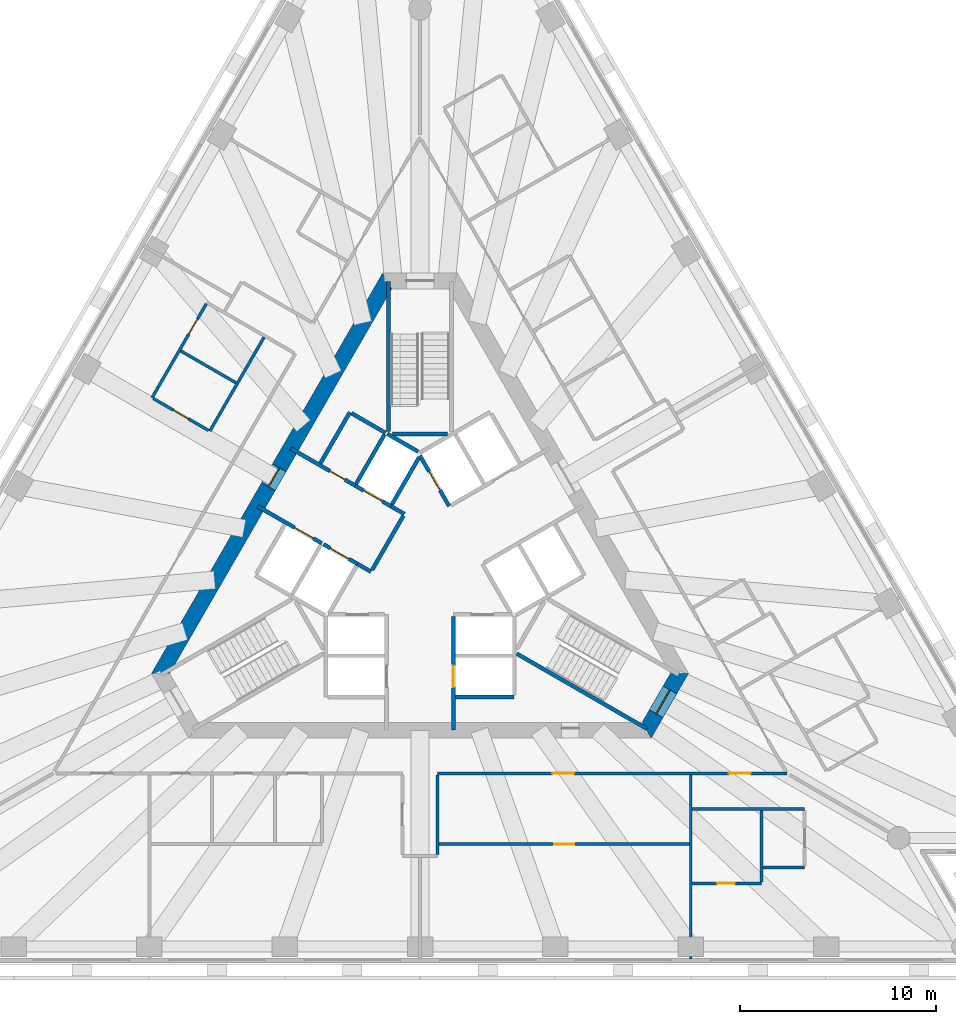
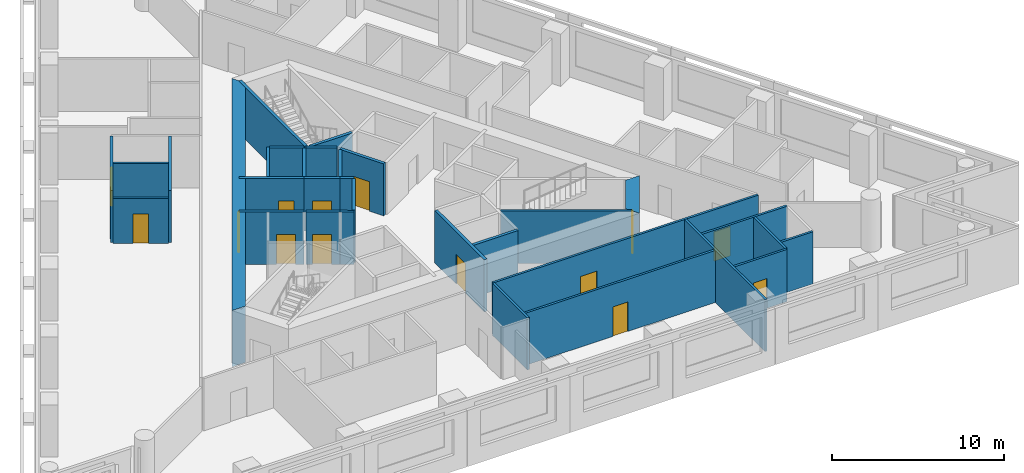
# One storey, part 4 of 10: 32 walls, 14 doors, 14 openings.
"""IFC4 building model written with IfcOpenShell, lengths in metres."""

import ifcopenshell
import ifcopenshell.guid

model = None  # the IFC model being written
_history = None  # IfcOwnerHistory: only IFC2X3 demands one
_inside = {}  # id of a spatial element -> (the spatial element, [elements in it])
_under = {}  # id of a project, library or spatial element -> (it, [spatial elements below it])
_declared = {}  # id of a project -> (the project, [libraries it declares])
_typed = {}  # id of a type object -> (the type object, [elements of that type])
_made_of = {}  # id of a material, layer set ... -> (it, [elements and type objects made of it])


def new_model(schema):
    """Start an empty IFC model of exactly this schema.

    Asked for "IFC4X3", IfcOpenShell would pick the latest addendum, in which some entities
    have other attributes; the version numbers below select the first issue.
    IFC2X3 requires an IfcOwnerHistory on every rooted entity: one is made here for all.
    """
    global model, _history
    if schema == "IFC4X3":
        model = ifcopenshell.file(schema_version=(4, 3, 0, 0))
    else:
        model = ifcopenshell.file(schema=schema)
    _inside.clear()
    _under.clear()
    _declared.clear()
    _typed.clear()
    _made_of.clear()
    _history = None
    if model.schema == "IFC2X3":
        org = make("IfcOrganization", Name="unknown")
        user = make(
            "IfcPersonAndOrganization",
            ThePerson=make("IfcPerson", FamilyName="unknown"),
            TheOrganization=org,
        )
        app = make(
            "IfcApplication",
            ApplicationDeveloper=org,
            Version="unknown",
            ApplicationFullName="unknown",
            ApplicationIdentifier="unknown",
        )
        _history = make(
            "IfcOwnerHistory",
            OwningUser=user,
            OwningApplication=app,
            ChangeAction="ADDED",
            CreationDate=0,
        )
    return model


def make(cls, **values):
    """One entity of the class cls with the attributes given. An attribute that is None is left unset."""
    return model.create_entity(
        cls, **{name: value for name, value in values.items() if value is not None}
    )


def rooted(cls, **values):
    """An entity with a GlobalId (a new one), such as an element, a storey or a relation."""
    return make(cls, GlobalId=ifcopenshell.guid.new(), OwnerHistory=_history, **values)


def si_unit(unit_type, name, prefix=None):
    """IfcSIUnit, for example si_unit("LENGTHUNIT", "METRE", prefix="MILLI")."""
    return make("IfcSIUnit", UnitType=unit_type, Prefix=prefix, Name=name)


def assignment(units):
    """IfcUnitAssignment: the units of a project."""
    return None if units is None else make("IfcUnitAssignment", Units=units)


def point(xyz):
    """IfcCartesianPoint."""
    return None if xyz is None else make("IfcCartesianPoint", Coordinates=xyz)


def direction(xyz):
    """IfcDirection."""
    return None if xyz is None else make("IfcDirection", DirectionRatios=xyz)


def frame(location, z_axis=None, x_axis=None):
    """IfcAxis2Placement3D, a coordinate frame: its origin and axes. An axis left out is left unset."""
    return make(
        "IfcAxis2Placement3D",
        Location=point(location),
        Axis=direction(z_axis),
        RefDirection=direction(x_axis),
    )


def frame_2d(location, x_axis=None):
    """IfcAxis2Placement2D, a coordinate frame in the plane: its origin and x axis."""
    return make(
        "IfcAxis2Placement2D", Location=point(location), RefDirection=direction(x_axis)
    )


def origin():
    """The frame at (0, 0, 0) with its axes left unset."""
    return frame((0.0, 0.0, 0.0))


def place(relative_to, where):
    """IfcLocalPlacement: puts the frame where relative to a parent placement (None: the world)."""
    return make(
        "IfcLocalPlacement", PlacementRelTo=relative_to, RelativePlacement=where
    )


def context(
    kind, dimensions, precision=None, world=None, true_north=None, identifier=None
):
    """IfcGeometricRepresentationContext, for example the 3D "Model" context."""
    return make(
        "IfcGeometricRepresentationContext",
        ContextIdentifier=identifier,
        ContextType=kind,
        CoordinateSpaceDimension=dimensions,
        Precision=precision,
        WorldCoordinateSystem=world,
        TrueNorth=true_north,
    )


def subcontext(parent, identifier, kind, view, scale=None):
    """IfcGeometricRepresentationSubContext, for example "Body" below "Model"."""
    return make(
        "IfcGeometricRepresentationSubContext",
        ContextIdentifier=identifier,
        ContextType=kind,
        ParentContext=parent,
        TargetScale=scale,
        TargetView=view,
    )


def project(units=None, contexts=None):
    """IfcProject with its units and contexts."""
    return rooted(
        "IfcProject",
        Name="project",
        RepresentationContexts=contexts,
        UnitsInContext=assignment(units),
    )


def spatial(cls, under=None, at=None, **own):
    """A site, building, storey or space (cls), placed at a placement, below another one or the project."""
    s = rooted(cls, ObjectPlacement=at, **own)
    if under is not None:
        _under.setdefault(under.id(), (under, []))[1].append(s)
    return s


def polyline(points):
    """IfcPolyline through the points."""
    return make("IfcPolyline", Points=[point(p) for p in points])


def profile(cls, at=None, kind="AREA", **sizes):
    """A parametric profile (cls). Its sizes go by their IFC names, for example OverallWidth=200.0."""
    return make(cls, ProfileType=kind, Position=at, **sizes)


def rectangle(**sizes):
    """IfcRectangleProfileDef."""
    return profile("IfcRectangleProfileDef", **sizes)


def outline(outer, holes=None, kind="AREA"):
    """IfcArbitraryClosedProfileDef: a profile drawn as a closed curve; with holes, ...WithVoids."""
    if holes is None:
        return make("IfcArbitraryClosedProfileDef", ProfileType=kind, OuterCurve=outer)
    return make(
        "IfcArbitraryProfileDefWithVoids",
        ProfileType=kind,
        OuterCurve=outer,
        InnerCurves=holes,
    )


def extrude(swept, where, along, depth):
    """IfcExtrudedAreaSolid: the profile swept, set in the frame where, extruded along a direction by depth."""
    return make(
        "IfcExtrudedAreaSolid",
        SweptArea=swept,
        Position=where,
        ExtrudedDirection=direction(along),
        Depth=depth,
    )


def shape(context_of_items, identifier, shape_type, items):
    """IfcShapeRepresentation: the items that make up one representation, for example the "Body"."""
    return make(
        "IfcShapeRepresentation",
        ContextOfItems=context_of_items,
        RepresentationIdentifier=identifier,
        RepresentationType=shape_type,
        Items=items,
    )


def material(Name=None, Category=None):
    """IfcMaterial."""
    return make("IfcMaterial", Name=Name, Category=Category)


def layer(
    of_material, thickness, ventilated=None, Name=None, Category=None, Priority=None
):
    """IfcMaterialLayer: one layer of a wall or slab, of a material (None: an air gap)."""
    return make(
        "IfcMaterialLayer",
        Material=of_material,
        LayerThickness=thickness,
        IsVentilated=ventilated,
        Name=Name,
        Category=Category,
        Priority=Priority,
    )


def layer_set(layers, Name=None):
    """IfcMaterialLayerSet."""
    return make("IfcMaterialLayerSet", MaterialLayers=layers, LayerSetName=Name)


def made_of(thing, what):
    """Note that an element or type object is made of a material, layer set ...; save() writes the relation."""
    if what is not None:
        _made_of.setdefault(what.id(), (what, []))[1].append(thing)
    return thing


def type_object(cls, material=None, **own):
    """A type object (cls), such as IfcWallType, which elements share."""
    return made_of(rooted(cls, **own), material)


def element(
    cls,
    number,
    at=None,
    inside=None,
    cuts=None,
    type_object=None,
    material=None,
    context=None,
    identifier="Body",
    shape_type=None,
    held_by="IfcProductDefinitionShape",
    body=None,
    shapes=None,
    **own,
):
    """One element of the class cls, such as IfcWall. Its Tag is "e" and its number.

    at: its placement. inside: the storey or other place that contains it. cuts: it is an
    opening in that element (IfcRelVoidsElement). A single representation is given by context,
    identifier, shape_type and body (its items); several are given by shapes. held_by: the class
    of the entity that holds the representations. save() writes the other relations.
    """
    e = rooted(cls, Tag="e%d" % number, ObjectPlacement=at, **own)
    if body is not None:
        shapes = [shape(context, identifier, shape_type, body)]
    if shapes is not None:
        e.Representation = make(held_by, Representations=shapes)
    if inside is not None:
        _inside.setdefault(inside.id(), (inside, []))[1].append(e)
    if cuts is not None:
        rooted(
            "IfcRelVoidsElement", RelatingBuildingElement=cuts, RelatedOpeningElement=e
        )
    if type_object is not None:
        _typed.setdefault(type_object.id(), (type_object, []))[1].append(e)
    return made_of(e, material)


def fill(opening, filler):
    """IfcRelFillsElement: the door or window that sits in an opening."""
    return rooted(
        "IfcRelFillsElement",
        RelatingOpeningElement=opening,
        RelatedBuildingElement=filler,
    )


def aggregate(whole, parts):
    """IfcRelAggregates: a whole, such as a stair, and the parts it consists of."""
    return rooted("IfcRelAggregates", RelatingObject=whole, RelatedObjects=parts)


def save(model, path):
    """Write the relations noted so far, then the file.

    IfcRelAggregates (storeys below a building ...), IfcRelContainedInSpatialStructure (elements
    in a storey), IfcRelDefinesByType, IfcRelAssociatesMaterial and IfcRelDeclares: one each for
    every whole, place, type object, material and project.
    """
    for whole, parts in _under.values():
        aggregate(whole, parts)
    for where, things in _inside.values():
        rooted(
            "IfcRelContainedInSpatialStructure",
            RelatedElements=things,
            RelatingStructure=where,
        )
    for kind, things in _typed.values():
        rooted("IfcRelDefinesByType", RelatedObjects=things, RelatingType=kind)
    for what, things in _made_of.values():
        rooted("IfcRelAssociatesMaterial", RelatedObjects=things, RelatingMaterial=what)
    for by, libraries in _declared.values():
        rooted("IfcRelDeclares", RelatingContext=by, RelatedDefinitions=libraries)
    model.write(path)


model = new_model("IFC4")

# Units and contexts
model_context = context("Model", 3, precision=1e-05, world=origin(), true_north=direction((0.0, 1.0)))
body_context = subcontext(model_context, "Body", "Model", "MODEL_VIEW")
ifc_project = project(units=[si_unit("LENGTHUNIT", "METRE"), si_unit("AREAUNIT", "SQUARE_METRE"), si_unit("VOLUMEUNIT", "CUBIC_METRE"), si_unit("PLANEANGLEUNIT", "RADIAN"), si_unit("MASSUNIT", "GRAM", prefix="KILO")], contexts=[model_context])

# Site, building, storey
site_placement = place(None, origin())
site = spatial("IfcSite", under=ifc_project, at=site_placement, CompositionType="ELEMENT")
building_placement = place(site_placement, origin())
building = spatial("IfcBuilding", under=site, at=building_placement, Name="Triada Interchange Tower", CompositionType="ELEMENT")
storey_placement = place(building_placement, frame((0.0, 0.0, 116.300048828125)))
storey = spatial("IfcBuildingStorey", under=building, at=storey_placement, Name="L26", CompositionType="ELEMENT", Elevation=116.300048828125)

# Wall
ifc_material_1 = material(Name="Concrete C30/37", Category="concrete")
ifc_layer_1 = layer(ifc_material_1, 0.199951171875)
ifc_layer_set_1 = layer_set([ifc_layer_1], Name="CORE WALL 200 EI 120")
wall_type_1 = type_object("IfcWallType", Name="CORE WALL 200 EI 120", PredefinedType="SOLIDWALL", material=ifc_layer_set_1)
wall_1_placement = place(storey_placement, frame((1.800048828125, -6.89990234375, 0.0), z_axis=(0.0, 0.0, 1.0), x_axis=(1.0, 0.0, 0.0)))
element("IfcWall", 1, at=wall_1_placement, inside=storey, type_object=wall_type_1, Name="Wall L26 66", PredefinedType="SOLIDWALL", context=body_context, shape_type="SweptSolid", body=[
    extrude(rectangle(XDim=3.0, YDim=0.199951171875, at=frame_2d((1.5, 0.0))), origin(), (0.0, 0.0, 1.0), 3.699951171875),
])

# Wall, opening, door
wall_2_placement = place(storey_placement, frame((0.0, 5.39990234375, 0.0), z_axis=(0.0, 0.0, 1.0), x_axis=(0.500103862429, -0.865965430478, 0.0)))
wall_2 = element("IfcWall", 2, at=wall_2_placement, inside=storey, type_object=wall_type_1, Name="Wall L26 71", PredefinedType="SOLIDWALL", context=body_context, shape_type="SweptSolid", body=[
    extrude(rectangle(XDim=2.973388671875, YDim=0.199951171875, at=frame_2d((1.48681640625, 0.0))), origin(), (0.0, 0.0, 1.0), 3.699951171875),
])
opening_1_placement = place(wall_2_placement, frame((0.93701171875, 0.0, 0.0)))
opening_1 = element("IfcOpeningElement", 3, at=opening_1_placement, cuts=wall_2, Name="Opening LD-LR5", PredefinedType="OPENING", context=body_context, shape_type="SweptSolid", body=[
    extrude(rectangle(XDim=1.10009765625, YDim=2.10009765625, at=frame_2d((0.550048828125, 1.050048828125))), frame((0.0, 0.10986328125, 0.0), z_axis=(0.0, -1.0, 0.0), x_axis=(1.0, 0.0, 0.0)), (0.0, 0.0, 1.0), 0.219970703125),
])
ifc_material_2 = material(Name="Steel S235 door leaf", Category="steel")
door_type_1 = type_object("IfcDoorType", Name="LIFT LANDING DOOR 1100 EI 120", OperationType="SLIDING_TO_LEFT", PredefinedType="DOOR", material=ifc_material_2)
door_1_placement = place(opening_1_placement, origin())
door_1 = element("IfcDoor", 4, at=door_1_placement, inside=storey, type_object=door_type_1, Name="LR5 landing door L26", OperationType="SLIDING_TO_LEFT", OverallHeight=2.10009765625, OverallWidth=1.10009765625, PredefinedType="DOOR", context=body_context, shape_type="SweptSolid", body=[
    extrude(rectangle(XDim=1.10009765625, YDim=2.10009765625, at=frame_2d((0.550048828125, 1.050048828125))), frame((0.0, 0.02490234375, 0.0), z_axis=(0.0, -1.0, 0.0), x_axis=(1.0, 0.0, 0.0)), (0.0, 0.0, 1.0), 0.050048828125),
])
fill(opening_1, door_1)

wall_3_placement = place(storey_placement, frame((1.699951171875, -8.580078125, 0.0), z_axis=(0.0, 0.0, 1.0), x_axis=(0.0, 1.0, 0.0)))
wall_3 = element("IfcWall", 5, at=wall_3_placement, inside=storey, type_object=wall_type_1, Name="Wall L26 74", PredefinedType="SOLIDWALL", context=body_context, shape_type="SweptSolid", body=[
    extrude(rectangle(XDim=5.777099609375, YDim=0.199951171875, at=frame_2d((2.888671875, 0.0))), origin(), (0.0, 0.0, 1.0), 3.699951171875),
])
opening_2_placement = place(wall_3_placement, frame((2.179931640625, 0.0, 0.0)))
opening_2 = element("IfcOpeningElement", 6, at=opening_2_placement, cuts=wall_3, Name="Opening LD-LR2", PredefinedType="OPENING", context=body_context, shape_type="SweptSolid", body=[
    extrude(rectangle(XDim=1.10009765625, YDim=2.10009765625, at=frame_2d((0.550048828125, 1.050048828125))), frame((0.0, 0.10986328125, 0.0), z_axis=(0.0, -1.0, 0.0), x_axis=(1.0, 0.0, 0.0)), (0.0, 0.0, 1.0), 0.219970703125),
])
door_2_placement = place(opening_2_placement, origin())
door_2 = element("IfcDoor", 7, at=door_2_placement, inside=storey, type_object=door_type_1, Name="LR2 landing door L26", OperationType="SLIDING_TO_LEFT", OverallHeight=2.10009765625, OverallWidth=1.10009765625, PredefinedType="DOOR", context=body_context, shape_type="SweptSolid", body=[
    extrude(rectangle(XDim=1.10009765625, YDim=2.10009765625, at=frame_2d((0.550048828125, 1.050048828125))), frame((0.0, 0.02490234375, 0.0), z_axis=(0.0, -1.0, 0.0), x_axis=(1.0, 0.0, 0.0)), (0.0, 0.0, 1.0), 0.050048828125),
])
fill(opening_2, door_2)

ifc_layer_2 = layer(ifc_material_1, 0.199951171875)
ifc_layer_set_2 = layer_set([ifc_layer_2], Name="CORE WALL 200 EI 180")
wall_type_2 = type_object("IfcWallType", Name="CORE WALL 200 EI 180", PredefinedType="SOLIDWALL", material=ifc_layer_set_2)
wall_4_placement = place(storey_placement, frame((-8.280029296875, 2.818115234375, 0.0), z_axis=(0.0, 0.0, 1.0), x_axis=(0.86600175068, -0.50004096614, 0.0)))
wall_4 = element("IfcWall", 8, at=wall_4_placement, inside=storey, type_object=wall_type_2, Name="Wall L26 82", PredefinedType="SOLIDWALL", context=body_context, shape_type="SweptSolid", body=[
    extrude(rectangle(XDim=3.781982421875, YDim=0.199951171875, at=frame_2d((1.89111328125, 0.0))), origin(), (0.0, 0.0, 1.0), 3.699951171875),
])
opening_3_placement = place(wall_4_placement, frame((2.179931640625, 0.0, 0.0)))
opening_3 = element("IfcOpeningElement", 9, at=opening_3_placement, cuts=wall_4, Name="Opening LD-SV1", PredefinedType="OPENING", context=body_context, shape_type="SweptSolid", body=[
    extrude(rectangle(XDim=1.10009765625, YDim=2.10009765625, at=frame_2d((0.550048828125, 1.050048828125))), frame((0.0, 0.10986328125, 0.0), z_axis=(0.0, -1.0, 0.0), x_axis=(1.0, 0.0, 0.0)), (0.0, 0.0, 1.0), 0.219970703125),
])
door_3_placement = place(opening_3_placement, origin())
door_3 = element("IfcDoor", 10, at=door_3_placement, inside=storey, type_object=door_type_1, Name="SV1 landing door L26", OperationType="SLIDING_TO_LEFT", OverallHeight=2.10009765625, OverallWidth=1.10009765625, PredefinedType="DOOR", context=body_context, shape_type="SweptSolid", body=[
    extrude(rectangle(XDim=1.10009765625, YDim=2.10009765625, at=frame_2d((0.550048828125, 1.050048828125))), frame((0.0, 0.02490234375, 0.0), z_axis=(0.0, -1.0, 0.0), x_axis=(1.0, 0.0, 0.0)), (0.0, 0.0, 1.0), 0.050048828125),
])
fill(opening_3, door_3)

# Wall
wall_5_placement = place(storey_placement, frame((-3.18798828125, -0.1220703125, 0.0), z_axis=(0.0, 0.0, 1.0), x_axis=(0.865705793592, -0.50055317294, 0.0)))
element("IfcWall", 11, at=wall_5_placement, inside=storey, type_object=wall_type_2, Name="Wall L26 83", PredefinedType="SOLIDWALL", context=body_context, shape_type="SweptSolid", body=[
    extrude(rectangle(XDim=0.796875, YDim=0.199951171875, at=frame_2d((0.3984375, 0.0))), origin(), (0.0, 0.0, 1.0), 3.699951171875),
])

# Wall, opening, door
wall_6_placement = place(storey_placement, frame((-6.580078125, 5.761962890625, 0.0), z_axis=(0.0, 0.0, 1.0), x_axis=(0.866029704776, -0.49999255039, 0.0)))
wall_6 = element("IfcWall", 12, at=wall_6_placement, inside=storey, type_object=wall_type_2, Name="Wall L26 84", PredefinedType="SOLIDWALL", context=body_context, shape_type="SweptSolid", body=[
    extrude(rectangle(XDim=3.78173828125, YDim=0.199951171875, at=frame_2d((1.890869140625, 0.0))), origin(), (0.0, 0.0, 1.0), 3.699951171875),
])
opening_4_placement = place(wall_6_placement, frame((2.279052734375, 0.0, 0.0)))
opening_4 = element("IfcOpeningElement", 13, at=opening_4_placement, cuts=wall_6, Name="Opening D26-10", PredefinedType="OPENING", context=body_context, shape_type="SweptSolid", body=[
    extrude(rectangle(XDim=0.89990234375, YDim=2.10009765625, at=frame_2d((0.449951171875, 1.050048828125))), frame((0.0, 0.10986328125, 0.0), z_axis=(0.0, -1.0, 0.0), x_axis=(1.0, 0.0, 0.0)), (0.0, 0.0, 1.0), 0.219970703125),
])
door_type_2 = type_object("IfcDoorType", Name="SERVICE DOOR 900 EI2 90-C5S200", OperationType="NOTDEFINED", PredefinedType="DOOR", material=ifc_material_2)
door_4_placement = place(opening_4_placement, origin())
door_4 = element("IfcDoor", 14, at=door_4_placement, inside=storey, type_object=door_type_2, Name="Door D26-10 L26", OperationType="SINGLE_SWING_LEFT", OverallHeight=2.10009765625, OverallWidth=0.89990234375, PredefinedType="DOOR", context=body_context, shape_type="SweptSolid", body=[
    extrude(rectangle(XDim=0.89990234375, YDim=2.10009765625, at=frame_2d((0.449951171875, 1.050048828125))), frame((0.0, 0.02490234375, 0.0), z_axis=(0.0, -1.0, 0.0), x_axis=(1.0, 0.0, 0.0)), (0.0, 0.0, 1.0), 0.050048828125),
])
fill(opening_4, door_4)

# Walls
wall_7_placement = place(storey_placement, frame((-1.488037109375, 2.822021484375, 0.0), z_axis=(0.0, 0.0, 1.0), x_axis=(0.866236612152, -0.499633997809, 0.0)))
element("IfcWall", 15, at=wall_7_placement, inside=storey, type_object=wall_type_2, Name="Wall L26 85", PredefinedType="SOLIDWALL", context=body_context, shape_type="SweptSolid", body=[
    extrude(rectangle(XDim=0.79638671875, YDim=0.199951171875, at=frame_2d((0.398193359375, 0.0))), origin(), (0.0, 0.0, 1.0), 3.699951171875),
])
wall_8_placement = place(storey_placement, frame((-5.075927734375, 5.009033203125, 0.0), z_axis=(0.0, 0.0, 1.0), x_axis=(0.50002537861, 0.866010750942, 0.0)))
element("IfcWall", 16, at=wall_8_placement, inside=storey, type_object=wall_type_2, Name="Wall L26 86", PredefinedType="SOLIDWALL", context=body_context, shape_type="SweptSolid", body=[
    extrude(rectangle(XDim=2.999755859375, YDim=0.199951171875, at=frame_2d((1.5, 0.0))), origin(), (0.0, 0.0, 1.0), 3.699951171875),
])
wall_9_placement = place(storey_placement, frame((-3.489013671875, 7.556884765625, 0.0), z_axis=(0.0, 0.0, 1.0), x_axis=(0.866010750942, -0.50002537861, 0.0)))
element("IfcWall", 17, at=wall_9_placement, inside=storey, type_object=wall_type_2, Name="Wall L26 87", PredefinedType="SOLIDWALL", context=body_context, shape_type="SweptSolid", body=[
    extrude(rectangle(XDim=2.0, YDim=0.199951171875, at=frame_2d((1.0, 0.0))), origin(), (0.0, 0.0, 1.0), 3.699951171875),
])
wall_10_placement = place(storey_placement, frame((-2.444091796875, -0.43310546875, 0.0), z_axis=(0.0, 0.0, 1.0), x_axis=(0.500035624827, 0.866004834804, 0.0)))
element("IfcWall", 18, at=wall_10_placement, inside=storey, type_object=wall_type_2, Name="Wall L26 88", PredefinedType="SOLIDWALL", context=body_context, shape_type="SweptSolid", body=[
    extrude(rectangle(XDim=3.194091796875, YDim=0.199951171875, at=frame_2d((1.59716796875, 0.0))), origin(), (0.0, 0.0, 1.0), 3.699951171875),
])

# Wall, opening, door
wall_11_placement = place(storey_placement, frame((-4.919921875, 0.8779296875, 0.0), z_axis=(0.0, 0.0, 1.0), x_axis=(0.866010750942, -0.50002537861, 0.0)))
wall_11 = element("IfcWall", 19, at=wall_11_placement, inside=storey, type_object=wall_type_2, Name="Shaft wall FF1 L26 91", PredefinedType="SOLIDWALL", context=body_context, shape_type="SweptSolid", body=[
    extrude(rectangle(XDim=2.0, YDim=0.199951171875, at=frame_2d((1.0, 0.0))), origin(), (0.0, 0.0, 1.0), 3.699951171875),
])
opening_5_placement = place(wall_11_placement, frame((0.39990234375, 0.0, 0.0)))
opening_5 = element("IfcOpeningElement", 20, at=opening_5_placement, cuts=wall_11, Name="Opening LD-FF1", PredefinedType="OPENING", context=body_context, shape_type="SweptSolid", body=[
    extrude(rectangle(XDim=1.10009765625, YDim=2.10009765625, at=frame_2d((0.550048828125, 1.050048828125))), frame((0.0, 0.10986328125, 0.0), z_axis=(0.0, -1.0, 0.0), x_axis=(1.0, 0.0, 0.0)), (0.0, 0.0, 1.0), 0.219970703125),
])
door_5_placement = place(opening_5_placement, origin())
door_5 = element("IfcDoor", 21, at=door_5_placement, inside=storey, type_object=door_type_1, Name="FF1 landing door L26", OperationType="SLIDING_TO_LEFT", OverallHeight=2.10009765625, OverallWidth=1.10009765625, PredefinedType="DOOR", context=body_context, shape_type="SweptSolid", body=[
    extrude(rectangle(XDim=1.10009765625, YDim=2.10009765625, at=frame_2d((0.550048828125, 1.050048828125))), frame((0.0, 0.02490234375, 0.0), z_axis=(0.0, -1.0, 0.0), x_axis=(1.0, 0.0, 0.0)), (0.0, 0.0, 1.0), 0.050048828125),
])
fill(opening_5, door_5)

wall_12_placement = place(storey_placement, frame((-3.30908203125, 3.873046875, 0.0), z_axis=(0.0, 0.0, 1.0), x_axis=(0.866098583652, -0.499873227325, 0.0)))
wall_12 = element("IfcWall", 22, at=wall_12_placement, inside=storey, type_object=wall_type_2, Name="Shaft wall FF2 L26 93", PredefinedType="SOLIDWALL", context=body_context, shape_type="SweptSolid", body=[
    extrude(rectangle(XDim=2.1025390625, YDim=0.199951171875, at=frame_2d((1.05126953125, 0.0))), origin(), (0.0, 0.0, 1.0), 3.699951171875),
])
opening_6_placement = place(wall_12_placement, frame((0.501953125, 0.0, 0.0)))
opening_6 = element("IfcOpeningElement", 23, at=opening_6_placement, cuts=wall_12, Name="Opening LD-FF2", PredefinedType="OPENING", context=body_context, shape_type="SweptSolid", body=[
    extrude(rectangle(XDim=1.10009765625, YDim=2.10009765625, at=frame_2d((0.550048828125, 1.050048828125))), frame((0.0, 0.10986328125, 0.0), z_axis=(0.0, -1.0, 0.0), x_axis=(1.0, 0.0, 0.0)), (0.0, 0.0, 1.0), 0.219970703125),
])
door_6_placement = place(opening_6_placement, origin())
door_6 = element("IfcDoor", 24, at=door_6_placement, inside=storey, type_object=door_type_1, Name="FF2 landing door L26", OperationType="SLIDING_TO_LEFT", OverallHeight=2.10009765625, OverallWidth=1.10009765625, PredefinedType="DOOR", context=body_context, shape_type="SweptSolid", body=[
    extrude(rectangle(XDim=1.10009765625, YDim=2.10009765625, at=frame_2d((0.550048828125, 1.050048828125))), frame((0.0, 0.02490234375, 0.0), z_axis=(0.0, -1.0, 0.0), x_axis=(1.0, 0.0, 0.0)), (0.0, 0.0, 1.0), 0.050048828125),
])
fill(opening_6, door_6)

# Walls
wall_13_placement = place(storey_placement, frame((-3.257080078125, 3.958984375, 0.0), z_axis=(0.0, 0.0, 1.0), x_axis=(0.50012328804, 0.865954211699, 0.0)))
element("IfcWall", 25, at=wall_13_placement, inside=storey, type_object=wall_type_2, Name="Shaft wall FF2 L26 94", PredefinedType="SOLIDWALL", context=body_context, shape_type="SweptSolid", body=[
    extrude(rectangle(XDim=2.899658203125, YDim=0.199951171875, at=frame_2d((1.44970703125, 0.0))), origin(), (0.0, 0.0, 1.0), 3.699951171875),
])
wall_14_placement = place(storey_placement, frame((-1.669921875, 6.507080078125, 0.0), z_axis=(0.0, 0.0, 1.0), x_axis=(0.865941441609, -0.500145398563, 0.0)))
element("IfcWall", 26, at=wall_14_placement, inside=storey, type_object=wall_type_2, Name="Shaft wall FF2 L26 95", PredefinedType="SOLIDWALL", context=body_context, shape_type="SweptSolid", body=[
    extrude(rectangle(XDim=1.8154296875, YDim=0.199951171875, at=frame_2d((0.90771484375, 0.0))), origin(), (0.0, 0.0, 1.0), 3.699951171875),
])
wall_15_placement = place(storey_placement, frame((-1.43798828125, 2.908935546875, 0.0), z_axis=(0.0, 0.0, 1.0), x_axis=(0.499829630636, 0.866123744241, 0.0)))
element("IfcWall", 27, at=wall_15_placement, inside=storey, type_object=wall_type_2, Name="Shaft wall FF2 L26 96", PredefinedType="SOLIDWALL", context=body_context, shape_type="SweptSolid", body=[
    extrude(rectangle(XDim=2.7607421875, YDim=0.199951171875, at=frame_2d((1.38037109375, 0.0))), origin(), (0.0, 0.0, 1.0), 3.699951171875),
])
ifc_layer_3 = layer(ifc_material_1, 0.199951171875)
ifc_layer_set_3 = layer_set([ifc_layer_3], Name="CORE WALL 200 REI 240")
wall_type_3 = type_object("IfcWallType", Name="CORE WALL 200 REI 240", PredefinedType="SOLIDWALL", material=ifc_layer_set_3)
wall_16_placement = place(storey_placement, frame((-1.39990234375, 6.5, 0.0), z_axis=(0.0, 0.0, 1.0), x_axis=(1.0, 0.0, 0.0)))
element("IfcWall", 28, at=wall_16_placement, inside=storey, type_object=wall_type_3, Name="Wall L26 101", PredefinedType="SOLIDWALL", context=body_context, shape_type="SweptSolid", body=[
    extrude(rectangle(XDim=2.7998046875, YDim=0.199951171875, at=frame_2d((1.39990234375, 0.0))), origin(), (0.0, 0.0, 1.0), 3.699951171875),
])
for number, where, z_axis, x_axis, name in (
    (29, (-1.60009765625, 6.614990234375, 0.0), (0.0, 0.0, 1.0), (0.0, 1.0, 0.0), "Wall L26 102"),
    (30, (4.928955078125, -4.693115234375, 0.0), (0.0, 0.0, 1.0), (0.866005769735, -0.50003400563, 0.0), "Wall L26 103"),
):
    element("IfcWall", number, at=place(storey_placement, frame(where, z_axis=z_axis, x_axis=x_axis)), inside=storey, type_object=wall_type_3, Name=name, PredefinedType="SOLIDWALL", context=body_context, shape_type="SweptSolid", body=[
        extrude(rectangle(XDim=7.6650390625, YDim=0.199951171875, at=frame_2d((3.83251953125, 0.0))), origin(), (0.0, 0.0, 1.0), 3.699951171875),
    ])

# Wall, opening, door
ifc_material_3 = material(Name="Concrete C60/75", Category="concrete")
ifc_layer_4 = layer(ifc_material_3, 0.800048828125)
ifc_layer_set_4 = layer_set([ifc_layer_4], Name="Core wall B 800")
wall_type_4 = type_object("IfcWallType", Name="Core wall B 800", PredefinedType="SHEAR", material=ifc_layer_set_4)
wall_17_placement = place(storey_placement, frame((-1.674072265625, 14.300048828125, -0.300048828125), z_axis=(0.0, 0.0, 1.0), x_axis=(-0.499995765644, -0.866027848477, 0.0)))
wall_17 = element("IfcWall", 31, at=wall_17_placement, inside=storey, type_object=wall_type_4, Name="Core wall WB02 L26", PredefinedType="SHEAR", context=body_context, shape_type="SweptSolid", body=[
    extrude(outline(polyline([(-0.23095703125, -0.39990234375), (1.73193359375, -0.39990234375), (3.695068359375, -0.39990234375), (5.657958984375, -0.39990234375), (7.62109375, -0.39990234375), (9.583984375, -0.39990234375), (11.546875, -0.39990234375), (13.510009765625, -0.39990234375), (15.472900390625, -0.39990234375), (17.43603515625, -0.39990234375), (19.39892578125, -0.39990234375), (21.362060546875, -0.39990234375), (23.324951171875, -0.39990234375), (22.863037109375, 0.39990234375), (20.97705078125, 0.39990234375), (19.091064453125, 0.39990234375), (17.205078125, 0.39990234375), (15.319091796875, 0.39990234375), (13.43310546875, 0.39990234375), (11.546875, 0.39990234375), (9.660888671875, 0.39990234375), (7.77490234375, 0.39990234375), (5.888916015625, 0.39990234375), (4.0029296875, 0.39990234375), (2.116943359375, 0.39990234375), (0.23095703125, 0.39990234375), (-0.23095703125, -0.39990234375)])), origin(), (0.0, 0.0, 1.0), 4.0),
])
opening_7_placement = place(wall_17_placement, frame((10.9970703125, 0.0, 0.300048828125)))
opening_7 = element("IfcOpeningElement", 32, at=opening_7_placement, cuts=wall_17, Name="Opening D26-44", PredefinedType="OPENING", context=body_context, shape_type="SweptSolid", body=[
    extrude(rectangle(XDim=1.10009765625, YDim=2.10009765625, at=frame_2d((0.550048828125, 1.050048828125))), frame((0.0, 0.409912109375, 0.0), z_axis=(0.0, -1.0, 0.0), x_axis=(1.0, 0.0, 0.0)), (0.0, 0.0, 1.0), 0.820068359375),
])
door_type_3 = type_object("IfcDoorType", Name="FIRE LOBBY DOOR 1100 EI2 90-C5S200", OperationType="NOTDEFINED", PredefinedType="DOOR", material=ifc_material_2)
door_7_placement = place(opening_7_placement, origin())
door_7 = element("IfcDoor", 33, at=door_7_placement, inside=storey, type_object=door_type_3, Name="Door D26-44 L26", OperationType="SINGLE_SWING_LEFT", OverallHeight=2.10009765625, OverallWidth=1.10009765625, PredefinedType="DOOR", context=body_context, shape_type="SweptSolid", body=[
    extrude(rectangle(XDim=1.10009765625, YDim=2.10009765625, at=frame_2d((0.550048828125, 1.050048828125))), frame((0.0, 0.02490234375, 0.0), z_axis=(0.0, -1.0, 0.0), x_axis=(1.0, 0.0, 0.0)), (0.0, 0.0, 1.0), 0.050048828125),
])
fill(opening_7, door_7)

wall_18_placement = place(storey_placement, frame((11.547119140625, -8.60009765625, -0.300048828125), z_axis=(0.0, 0.0, 1.0), x_axis=(0.49987182685, 0.866099391942, 0.0)))
wall_18 = element("IfcWall", 34, at=wall_18_placement, inside=storey, type_object=wall_type_4, Name="Core wall WB05 L26", PredefinedType="SHEAR", context=body_context, shape_type="SweptSolid", body=[
    extrude(outline(polyline([(-0.23095703125, -0.39990234375), (1.674072265625, -0.39990234375), (3.5791015625, -0.39990234375), (3.117919921875, 0.39990234375), (1.67431640625, 0.39990234375), (0.23095703125, 0.39990234375), (-0.23095703125, -0.39990234375)])), origin(), (0.0, 0.0, 1.0), 4.0),
])
opening_8_placement = place(wall_18_placement, frame((0.97412109375, 0.0, 0.300048828125)))
opening_8 = element("IfcOpeningElement", 35, at=opening_8_placement, cuts=wall_18, Name="Opening D26-43", PredefinedType="OPENING", context=body_context, shape_type="SweptSolid", body=[
    extrude(rectangle(XDim=1.39990234375, YDim=2.10009765625, at=frame_2d((0.699951171875, 1.050048828125))), frame((0.0, 0.409912109375, 0.0), z_axis=(0.0, -1.0, 0.0), x_axis=(1.0, 0.0, 0.0)), (0.0, 0.0, 1.0), 0.820068359375),
])
door_type_4 = type_object("IfcDoorType", Name="STAIR DOOR 1400 EI2 90-C5S200", OperationType="DOUBLE_DOOR_SINGLE_SWING", PredefinedType="DOOR", material=ifc_material_2)
door_8_placement = place(opening_8_placement, origin())
door_8 = element("IfcDoor", 36, at=door_8_placement, inside=storey, type_object=door_type_4, Name="Door D26-43 L26", OperationType="DOUBLE_DOOR_SINGLE_SWING", OverallHeight=2.10009765625, OverallWidth=1.39990234375, PredefinedType="DOOR", context=body_context, shape_type="SweptSolid", body=[
    extrude(rectangle(XDim=1.39990234375, YDim=2.10009765625, at=frame_2d((0.699951171875, 1.050048828125))), frame((0.0, 0.02490234375, 0.0), z_axis=(0.0, -1.0, 0.0), x_axis=(1.0, 0.0, 0.0)), (0.0, 0.0, 1.0), 0.050048828125),
])
fill(opening_8, door_8)

# Wall, openings, doors
ifc_material_4 = material(Name="Gypsum board partition")
ifc_layer_5 = layer(ifc_material_4, 0.14990234375)
ifc_layer_set_5 = layer_set([ifc_layer_5], Name="PARTITION 150 EI 180")
wall_type_5 = type_object("IfcWallType", Name="PARTITION 150 EI 180", PredefinedType="PARTITIONING", material=ifc_layer_set_5)
wall_19_placement = place(storey_placement, frame((0.90087890625, -10.800048828125, 0.0), z_axis=(0.0, 0.0, 1.0), x_axis=(1.0, 0.0, 0.0)))
wall_19 = element("IfcWall", 37, at=wall_19_placement, inside=storey, type_object=wall_type_5, Name="Wall L26 4", PredefinedType="PARTITIONING", context=body_context, shape_type="SweptSolid", body=[
    extrude(rectangle(XDim=17.80419921875, YDim=0.14990234375, at=frame_2d((8.902099609375, 0.0))), origin(), (0.0, 0.0, 1.0), 3.699951171875),
])
opening_9_placement = place(wall_19_placement, frame((5.84912109375, 0.0, 0.0)))
opening_9 = element("IfcOpeningElement", 38, at=opening_9_placement, cuts=wall_19, Name="Opening D26-16", PredefinedType="OPENING", context=body_context, shape_type="SweptSolid", body=[
    extrude(rectangle(XDim=1.10009765625, YDim=2.10009765625, at=frame_2d((0.550048828125, 1.050048828125))), frame((0.0, 0.0849609375, 0.0), z_axis=(0.0, -1.0, 0.0), x_axis=(1.0, 0.0, 0.0)), (0.0, 0.0, 1.0), 0.169921875),
])
opening_10_placement = place(wall_19_placement, frame((14.843994140625, 0.0, 0.0)))
opening_10 = element("IfcOpeningElement", 39, at=opening_10_placement, cuts=wall_19, Name="Opening D26-18", PredefinedType="OPENING", context=body_context, shape_type="SweptSolid", body=[
    extrude(rectangle(XDim=1.10009765625, YDim=2.10009765625, at=frame_2d((0.550048828125, 1.050048828125))), frame((0.0, 0.0849609375, 0.0), z_axis=(0.0, -1.0, 0.0), x_axis=(1.0, 0.0, 0.0)), (0.0, 0.0, 1.0), 0.169921875),
])
door_type_5 = type_object("IfcDoorType", Name="TENANCY ENTRANCE DOOR 1100 EI2 90-C5S200", OperationType="NOTDEFINED", PredefinedType="DOOR", material=ifc_material_2)
door_9_placement = place(opening_9_placement, origin())
door_9 = element("IfcDoor", 40, at=door_9_placement, inside=storey, type_object=door_type_5, Name="Door D26-16 L26", OperationType="SINGLE_SWING_LEFT", OverallHeight=2.10009765625, OverallWidth=1.10009765625, PredefinedType="DOOR", context=body_context, shape_type="SweptSolid", body=[
    extrude(rectangle(XDim=1.10009765625, YDim=2.10009765625, at=frame_2d((0.550048828125, 1.050048828125))), frame((0.0, 0.02490234375, 0.0), z_axis=(0.0, -1.0, 0.0), x_axis=(1.0, 0.0, 0.0)), (0.0, 0.0, 1.0), 0.050048828125),
])
fill(opening_9, door_9)
door_10_placement = place(opening_10_placement, origin())
door_10 = element("IfcDoor", 41, at=door_10_placement, inside=storey, type_object=door_type_5, Name="Door D26-18 L26", OperationType="SINGLE_SWING_LEFT", OverallHeight=2.10009765625, OverallWidth=1.10009765625, PredefinedType="DOOR", context=body_context, shape_type="SweptSolid", body=[
    extrude(rectangle(XDim=1.10009765625, YDim=2.10009765625, at=frame_2d((0.550048828125, 1.050048828125))), frame((0.0, 0.02490234375, 0.0), z_axis=(0.0, -1.0, 0.0), x_axis=(1.0, 0.0, 0.0)), (0.0, 0.0, 1.0), 0.050048828125),
])
fill(opening_10, door_10)

# Walls
wall_20_placement = place(storey_placement, frame((0.89990234375, -14.925048828125, 0.0), z_axis=(0.0, 0.0, 1.0), x_axis=(0.0, 1.0, 0.0)))
element("IfcWall", 42, at=wall_20_placement, inside=storey, type_object=wall_type_5, Name="Wall L26 23", PredefinedType="PARTITIONING", context=body_context, shape_type="SweptSolid", body=[
    extrude(rectangle(XDim=4.049072265625, YDim=0.14990234375, at=frame_2d((2.0244140625, 0.0))), origin(), (0.0, 0.0, 1.0), 3.699951171875),
])
wall_21_placement = place(storey_placement, frame((13.794921875, -20.243896484375, 0.0), z_axis=(0.0, 0.0, 1.0), x_axis=(0.0, 1.0, 0.0)))
element("IfcWall", 43, at=wall_21_placement, inside=storey, type_object=wall_type_5, Name="Wall L26 34", PredefinedType="PARTITIONING", context=body_context, shape_type="SweptSolid", body=[
    extrude(rectangle(XDim=9.368896484375, YDim=0.14990234375, at=frame_2d((4.6845703125, 0.0))), origin(), (0.0, 0.0, 1.0), 3.699951171875),
])
ifc_layer_6 = layer(ifc_material_4, 0.14990234375)
ifc_layer_set_6 = layer_set([ifc_layer_6], Name="PARTITION 150 EI 90")
wall_type_6 = type_object("IfcWallType", Name="PARTITION 150 EI 90", PredefinedType="PARTITIONING", material=ifc_layer_set_6)
wall_22_placement = place(storey_placement, frame((-10.712890625, 6.64501953125, 0.0), z_axis=(0.0, 0.0, 1.0), x_axis=(0.500050108258, 0.865996471835, 0.0)))
element("IfcWall", 44, at=wall_22_placement, inside=storey, type_object=wall_type_6, Name="Wall L26 41", PredefinedType="PARTITIONING", context=body_context, shape_type="SweptSolid", body=[
    extrude(rectangle(XDim=5.525390625, YDim=0.14990234375, at=frame_2d((2.7626953125, 0.0))), origin(), (0.0, 0.0, 1.0), 3.699951171875),
])

# Wall, opening, door
wall_23_placement = place(storey_placement, frame((-13.656982421875, 8.344970703125, 0.0), z_axis=(0.0, 0.0, 1.0), x_axis=(0.499917542299, 0.866073005526, 0.0)))
wall_23 = element("IfcWall", 45, at=wall_23_placement, inside=storey, type_object=wall_type_6, Name="Wall L26 42", PredefinedType="PARTITIONING", context=body_context, shape_type="SweptSolid", body=[
    extrude(rectangle(XDim=5.52490234375, YDim=0.14990234375, at=frame_2d((2.762451171875, 0.0))), origin(), (0.0, 0.0, 1.0), 3.699951171875),
])
opening_11_placement = place(wall_23_placement, frame((3.75, 0.0, 0.0)))
opening_11 = element("IfcOpeningElement", 46, at=opening_11_placement, cuts=wall_23, Name="Opening D26-38", PredefinedType="OPENING", context=body_context, shape_type="SweptSolid", body=[
    extrude(rectangle(XDim=0.89990234375, YDim=2.10009765625, at=frame_2d((0.449951171875, 1.050048828125))), frame((0.0, 0.0849609375, 0.0), z_axis=(0.0, -1.0, 0.0), x_axis=(1.0, 0.0, 0.0)), (0.0, 0.0, 1.0), 0.169921875),
])
door_type_6 = type_object("IfcDoorType", Name="ROOM DOOR 900 EI2 45-C5S200", OperationType="NOTDEFINED", PredefinedType="DOOR", material=ifc_material_2)
door_11_placement = place(opening_11_placement, origin())
door_11 = element("IfcDoor", 47, at=door_11_placement, inside=storey, type_object=door_type_6, Name="Door D26-38 L26", OperationType="SINGLE_SWING_LEFT", OverallHeight=2.10009765625, OverallWidth=0.89990234375, PredefinedType="DOOR", context=body_context, shape_type="SweptSolid", body=[
    extrude(rectangle(XDim=0.89990234375, YDim=2.10009765625, at=frame_2d((0.449951171875, 1.050048828125))), frame((0.0, 0.02490234375, 0.0), z_axis=(0.0, -1.0, 0.0), x_axis=(1.0, 0.0, 0.0)), (0.0, 0.0, 1.0), 0.050048828125),
])
fill(opening_11, door_11)

wall_24_placement = place(storey_placement, frame((-13.592041015625, 8.306884765625, 0.0), z_axis=(0.0, 0.0, 1.0), x_axis=(0.865977875238, -0.500082312822, 0.0)))
wall_24 = element("IfcWall", 48, at=wall_24_placement, inside=storey, type_object=wall_type_6, Name="Wall L26 43", PredefinedType="PARTITIONING", context=body_context, shape_type="SweptSolid", body=[
    extrude(rectangle(XDim=3.24951171875, YDim=0.14990234375, at=frame_2d((1.624755859375, 0.0))), origin(), (0.0, 0.0, 1.0), 3.199951171875),
])
opening_12_placement = place(wall_24_placement, frame((1.175048828125, 0.0, 0.0)))
opening_12 = element("IfcOpeningElement", 49, at=opening_12_placement, cuts=wall_24, Name="Opening D26-39", PredefinedType="OPENING", context=body_context, shape_type="SweptSolid", body=[
    extrude(rectangle(XDim=0.89990234375, YDim=2.10009765625, at=frame_2d((0.449951171875, 1.050048828125))), frame((0.0, 0.0849609375, 0.0), z_axis=(0.0, -1.0, 0.0), x_axis=(1.0, 0.0, 0.0)), (0.0, 0.0, 1.0), 0.169921875),
])
door_12_placement = place(opening_12_placement, origin())
door_12 = element("IfcDoor", 50, at=door_12_placement, inside=storey, type_object=door_type_6, Name="Door D26-39 L26", OperationType="SINGLE_SWING_RIGHT", OverallHeight=2.10009765625, OverallWidth=0.89990234375, PredefinedType="DOOR", context=body_context, shape_type="SweptSolid", body=[
    extrude(rectangle(XDim=0.89990234375, YDim=2.10009765625, at=frame_2d((0.449951171875, 1.050048828125))), frame((0.0, 0.02490234375, 0.0), z_axis=(0.0, -1.0, 0.0), x_axis=(1.0, 0.0, 0.0)), (0.0, 0.0, 1.0), 0.050048828125),
])
fill(opening_12, door_12)

# Wall
wall_25_placement = place(storey_placement, frame((-12.19189453125, 10.73193359375, 0.0), z_axis=(0.0, 0.0, 1.0), x_axis=(0.865977875238, -0.500082312822, 0.0)))
element("IfcWall", 51, at=wall_25_placement, inside=storey, type_object=wall_type_6, Name="Wall L26 44", PredefinedType="PARTITIONING", context=body_context, shape_type="SweptSolid", body=[
    extrude(rectangle(XDim=3.24951171875, YDim=0.14990234375, at=frame_2d((1.624755859375, 0.0))), origin(), (0.0, 0.0, 1.0), 3.699951171875),
])

# Wall, opening, door
wall_26_placement = place(storey_placement, frame((0.97509765625, -14.39990234375, 0.0), z_axis=(0.0, 0.0, 1.0), x_axis=(1.0, 0.0, 0.0)))
wall_26 = element("IfcWall", 52, at=wall_26_placement, inside=storey, type_object=wall_type_6, Name="Wall L26 45", PredefinedType="PARTITIONING", context=body_context, shape_type="SweptSolid", body=[
    extrude(rectangle(XDim=12.744873046875, YDim=0.14990234375, at=frame_2d((6.37255859375, 0.0))), origin(), (0.0, 0.0, 1.0), 3.699951171875),
])
opening_13_placement = place(wall_26_placement, frame((5.875, 0.0, 0.0)))
opening_13 = element("IfcOpeningElement", 53, at=opening_13_placement, cuts=wall_26, Name="Opening D26-17", PredefinedType="OPENING", context=body_context, shape_type="SweptSolid", body=[
    extrude(rectangle(XDim=1.0, YDim=2.10009765625, at=frame_2d((0.5, 1.050048828125))), frame((0.0, 0.0849609375, 0.0), z_axis=(0.0, -1.0, 0.0), x_axis=(1.0, 0.0, 0.0)), (0.0, 0.0, 1.0), 0.169921875),
])
door_type_7 = type_object("IfcDoorType", Name="ROOM DOOR 1000 EI2 45-C5S200", OperationType="NOTDEFINED", PredefinedType="DOOR", material=ifc_material_2)
door_13_placement = place(opening_13_placement, origin())
door_13 = element("IfcDoor", 54, at=door_13_placement, inside=storey, type_object=door_type_7, Name="Door D26-17 L26", OperationType="SINGLE_SWING_RIGHT", OverallHeight=2.10009765625, OverallWidth=1.0, PredefinedType="DOOR", context=body_context, shape_type="SweptSolid", body=[
    extrude(rectangle(XDim=1.0, YDim=2.10009765625, at=frame_2d((0.5, 1.050048828125))), frame((0.0, 0.02490234375, 0.0), z_axis=(0.0, -1.0, 0.0), x_axis=(1.0, 0.0, 0.0)), (0.0, 0.0, 1.0), 0.050048828125),
])
fill(opening_13, door_13)

wall_27_placement = place(storey_placement, frame((13.8701171875, -16.39990234375, 0.0), z_axis=(0.0, 0.0, 1.0), x_axis=(1.0, 0.0, 0.0)))
wall_27 = element("IfcWall", 55, at=wall_27_placement, inside=storey, type_object=wall_type_6, Name="Wall L26 51", PredefinedType="PARTITIONING", context=body_context, shape_type="SweptSolid", body=[
    extrude(rectangle(XDim=3.52490234375, YDim=0.14990234375, at=frame_2d((1.762451171875, 0.0))), origin(), (0.0, 0.0, 1.0), 3.699951171875),
])
opening_14_placement = place(wall_27_placement, frame((1.27490234375, 0.0, 0.0)))
opening_14 = element("IfcOpeningElement", 56, at=opening_14_placement, cuts=wall_27, Name="Opening D26-19", PredefinedType="OPENING", context=body_context, shape_type="SweptSolid", body=[
    extrude(rectangle(XDim=0.89990234375, YDim=2.10009765625, at=frame_2d((0.449951171875, 1.050048828125))), frame((0.0, 0.0849609375, 0.0), z_axis=(0.0, -1.0, 0.0), x_axis=(1.0, 0.0, 0.0)), (0.0, 0.0, 1.0), 0.169921875),
])
door_14_placement = place(opening_14_placement, origin())
door_14 = element("IfcDoor", 57, at=door_14_placement, inside=storey, type_object=door_type_6, Name="Door D26-19 L26", OperationType="SINGLE_SWING_LEFT", OverallHeight=2.10009765625, OverallWidth=0.89990234375, PredefinedType="DOOR", context=body_context, shape_type="SweptSolid", body=[
    extrude(rectangle(XDim=0.89990234375, YDim=2.10009765625, at=frame_2d((0.449951171875, 1.050048828125))), frame((0.0, 0.02490234375, 0.0), z_axis=(0.0, -1.0, 0.0), x_axis=(1.0, 0.0, 0.0)), (0.0, 0.0, 1.0), 0.050048828125),
])
fill(opening_14, door_14)

# Walls
wall_28_placement = place(storey_placement, frame((17.39501953125, -16.324951171875, 0.0), z_axis=(0.0, 0.0, 1.0), x_axis=(0.0, 1.0, 0.0)))
element("IfcWall", 58, at=wall_28_placement, inside=storey, type_object=wall_type_6, Name="Wall L26 52", PredefinedType="PARTITIONING", context=body_context, shape_type="SweptSolid", body=[
    extrude(rectangle(XDim=3.64990234375, YDim=0.14990234375, at=frame_2d((1.824951171875, 0.0))), origin(), (0.0, 0.0, 1.0), 3.699951171875),
])
wall_29_placement = place(storey_placement, frame((13.8701171875, -12.60009765625, 0.0), z_axis=(0.0, 0.0, 1.0), x_axis=(1.0, 0.0, 0.0)))
element("IfcWall", 59, at=wall_29_placement, inside=storey, type_object=wall_type_6, Name="Wall L26 53", PredefinedType="PARTITIONING", context=body_context, shape_type="SweptSolid", body=[
    extrude(rectangle(XDim=5.724853515625, YDim=0.14990234375, at=frame_2d((2.8623046875, 0.0))), origin(), (0.0, 0.0, 1.0), 3.699951171875),
])
wall_30_placement = place(storey_placement, frame((17.469970703125, -15.60009765625, 0.0), z_axis=(0.0, 0.0, 1.0), x_axis=(1.0, 0.0, 0.0)))
element("IfcWall", 60, at=wall_30_placement, inside=storey, type_object=wall_type_6, Name="Wall L26 54", PredefinedType="PARTITIONING", context=body_context, shape_type="SweptSolid", body=[
    extrude(rectangle(XDim=2.125, YDim=0.14990234375, at=frame_2d((1.0625, 0.0))), origin(), (0.0, 0.0, 1.0), 3.699951171875),
])

save(model, "model.ifc")
